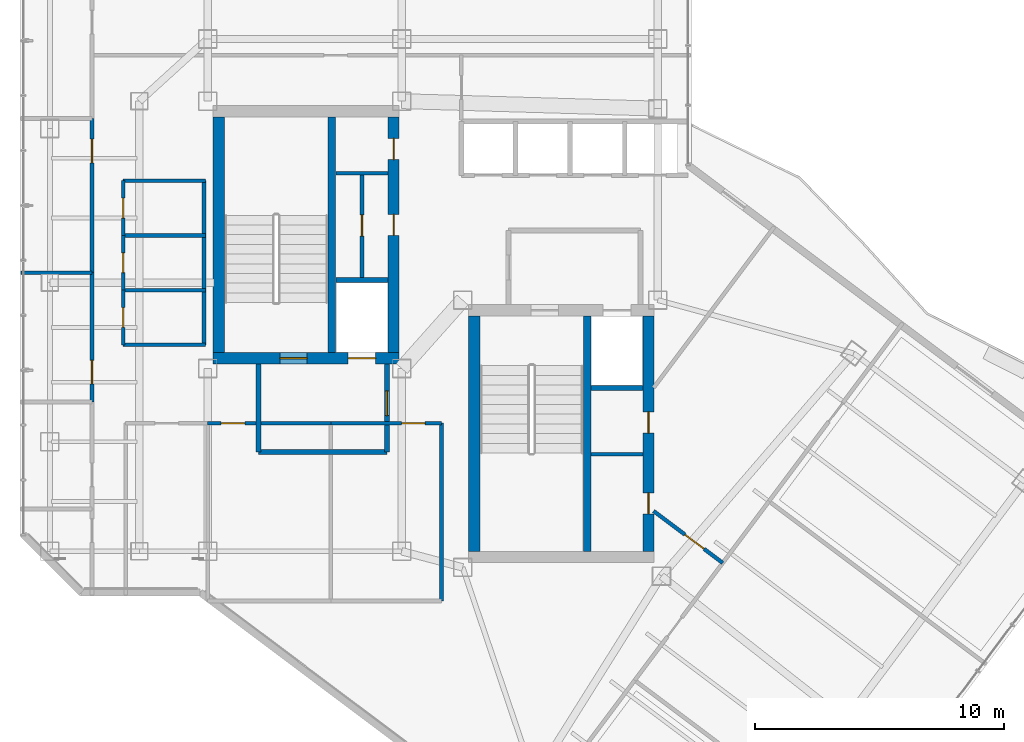
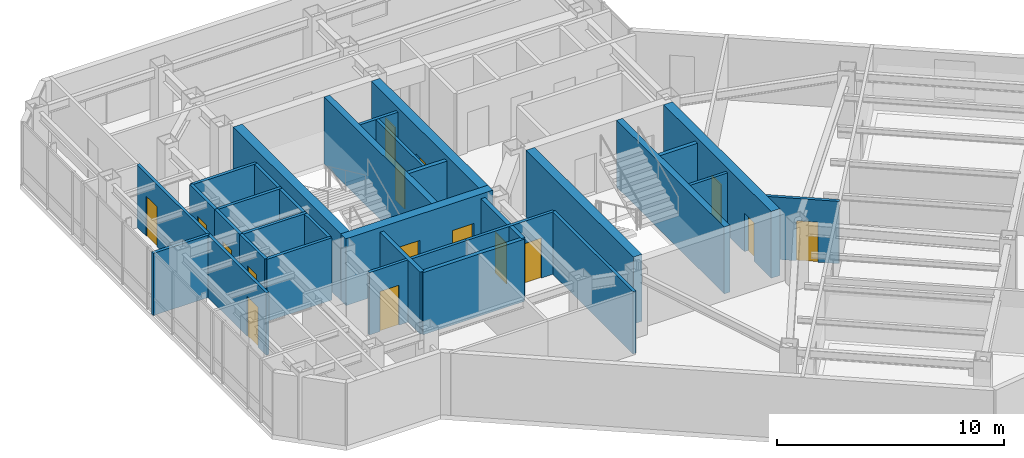
# One storey, part 20 of 26: 30 walls, 16 doors, 16 openings.
"""IFC4 building model written with IfcOpenShell, lengths in metres."""

from ifc_helpers import new_model, si_unit, direction, frame, frame_2d, origin, place, context, subcontext, project, spatial, rectangle, extrude, material, layer, layer_set, type_object, element, fill, save


model = new_model("IFC4")

# Units and contexts
model_context = context("Model", 3, precision=1e-05, world=origin(), true_north=direction((0.0, 1.0)))
body_context = subcontext(model_context, "Body", "Model", "MODEL_VIEW")
ifc_project = project(units=[si_unit("LENGTHUNIT", "METRE"), si_unit("AREAUNIT", "SQUARE_METRE"), si_unit("VOLUMEUNIT", "CUBIC_METRE"), si_unit("PLANEANGLEUNIT", "RADIAN"), si_unit("MASSUNIT", "GRAM", prefix="KILO")], contexts=[model_context])

# Site, building, storey
site_placement = place(None, origin())
site = spatial("IfcSite", under=ifc_project, at=site_placement, CompositionType="ELEMENT")
building_placement = place(site_placement, origin())
building = spatial("IfcBuilding", under=site, at=building_placement, Name="Hatsunagi Terrace Concourse", CompositionType="ELEMENT")
storey_placement = place(building_placement, frame((0.0, 0.0, 198.75)))
storey = spatial("IfcBuildingStorey", under=building, at=storey_placement, Name="L52", CompositionType="ELEMENT", Elevation=198.75)

# Wall, openings, doors
ifc_material_1 = material(Name="Concrete Fc42", Category="concrete")
ifc_layer_1 = layer(ifc_material_1, 0.449951171875)
ifc_layer_set_1 = layer_set([ifc_layer_1], Name="CoreShearWall_Fc42_450")
wall_type_1 = type_object("IfcWallType", Name="CoreShearWall_Fc42_450", PredefinedType="SHEAR", material=ifc_layer_set_1)
wall_1_placement = place(storey_placement, frame((25.77001953125, 32.965087890625, 0.0), z_axis=(0.0, 0.0, 1.0), x_axis=(1.0, 0.0, 0.0)))
wall_1 = element("IfcWall", 1, at=wall_1_placement, inside=storey, type_object=wall_type_1, Name="Core A Shear Wall S L52", PredefinedType="SHEAR", context=body_context, shape_type="SweptSolid", body=[
    extrude(rectangle(XDim=7.47998046875, YDim=0.449951171875, at=frame_2d((3.739990234375, 0.0))), origin(), (0.0, 0.0, 1.0), 3.60009765625),
])
opening_1_placement = place(wall_1_placement, frame((2.679931640625, 0.0, 0.0)))
opening_1 = element("IfcOpeningElement", 2, at=opening_1_placement, cuts=wall_1, Name="Opening DR-110S", PredefinedType="OPENING", context=body_context, shape_type="SweptSolid", body=[
    extrude(rectangle(XDim=1.10009765625, YDim=2.199951171875, at=frame_2d((0.550048828125, 1.10009765625))), frame((0.0, 0.23486328125, 0.0), z_axis=(0.0, -1.0, 0.0), x_axis=(1.0, 0.0, 0.0)), (0.0, 0.0, 1.0), 0.469970703125),
])
opening_2_placement = place(wall_1_placement, frame((5.429931640625, 0.0, 0.0)))
opening_2 = element("IfcOpeningElement", 3, at=opening_2_placement, cuts=wall_1, Name="Opening LD-01", PredefinedType="OPENING", context=body_context, shape_type="SweptSolid", body=[
    extrude(rectangle(XDim=1.10009765625, YDim=2.14990234375, at=frame_2d((0.550048828125, 1.074951171875))), frame((0.0, 0.23486328125, 0.0), z_axis=(0.0, -1.0, 0.0), x_axis=(1.0, 0.0, 0.0)), (0.0, 0.0, 1.0), 0.469970703125),
])
ifc_material_2 = material(Name="Stainless steel", Category="steel")
door_type_1 = type_object("IfcDoorType", Name="LiftLandingDoor_LD01", OperationType="SLIDING_TO_LEFT", PredefinedType="USERDEFINED", material=ifc_material_2)
door_1_placement = place(opening_2_placement, origin())
door_1 = element("IfcDoor", 4, at=door_1_placement, inside=storey, type_object=door_type_1, Name="Lift landing door FF-01 L52", ObjectType="SLIDING_LANDING_DOOR", OperationType="SLIDING_TO_LEFT", OverallHeight=2.14990234375, OverallWidth=1.10009765625, PredefinedType="USERDEFINED", context=body_context, shape_type="SweptSolid", body=[
    extrude(rectangle(XDim=1.10009765625, YDim=2.14990234375, at=frame_2d((0.550048828125, 1.074951171875))), frame((0.0, 0.02490234375, 0.0), z_axis=(0.0, -1.0, 0.0), x_axis=(1.0, 0.0, 0.0)), (0.0, 0.0, 1.0), 0.050048828125),
])
fill(opening_2, door_1)
ifc_material_3 = material(Name="Painted steel", Category="steel")
door_type_2 = type_object("IfcDoorType", Name="StairFireDoor_EI60_1100", OperationType="NOTDEFINED", PredefinedType="DOOR", material=ifc_material_3)
door_2_placement = place(opening_1_placement, origin())
door_2 = element("IfcDoor", 5, at=door_2_placement, inside=storey, type_object=door_type_2, Name="Stair ST-A Exit Door L52", OperationType="SINGLE_SWING_LEFT", OverallHeight=2.199951171875, OverallWidth=1.10009765625, PredefinedType="DOOR", context=body_context, shape_type="SweptSolid", body=[
    extrude(rectangle(XDim=1.10009765625, YDim=2.199951171875, at=frame_2d((0.550048828125, 1.10009765625))), frame((0.0, 0.02490234375, 0.0), z_axis=(0.0, -1.0, 0.0), x_axis=(1.0, 0.0, 0.0)), (0.0, 0.0, 1.0), 0.050048828125),
])
fill(opening_1, door_2)

# Wall
wall_2_placement = place(storey_placement, frame((25.9951171875, 33.18994140625, 0.0), z_axis=(0.0, 0.0, 1.0), x_axis=(0.0, 1.0, 0.0)))
element("IfcWall", 6, at=wall_2_placement, inside=storey, type_object=wall_type_1, Name="Core A Shear Wall W L52", PredefinedType="SHEAR", context=body_context, shape_type="SweptSolid", body=[
    extrude(rectangle(XDim=9.47998046875, YDim=0.449951171875, at=frame_2d((4.739990234375, 0.0))), origin(), (0.0, 0.0, 1.0), 3.60009765625),
])

# Wall, openings, doors
wall_3_placement = place(storey_placement, frame((33.02490234375, 33.18994140625, 0.0), z_axis=(0.0, 0.0, 1.0), x_axis=(0.0, 1.0, 0.0)))
wall_3 = element("IfcWall", 7, at=wall_3_placement, inside=storey, type_object=wall_type_1, Name="Core A Shear Wall E L52", PredefinedType="SHEAR", context=body_context, shape_type="SweptSolid", body=[
    extrude(rectangle(XDim=9.47998046875, YDim=0.449951171875, at=frame_2d((4.739990234375, 0.0))), origin(), (0.0, 0.0, 1.0), 3.60009765625),
])
opening_3_placement = place(wall_3_placement, frame((4.7099609375, 0.0, 0.0)))
opening_3 = element("IfcOpeningElement", 8, at=opening_3_placement, cuts=wall_3, Name="Opening DR-085", PredefinedType="OPENING", context=body_context, shape_type="SweptSolid", body=[
    extrude(rectangle(XDim=0.85009765625, YDim=2.080078125, at=frame_2d((0.425048828125, 1.0400390625))), frame((0.0, 0.23486328125, 0.0), z_axis=(0.0, -1.0, 0.0), x_axis=(1.0, 0.0, 0.0)), (0.0, 0.0, 1.0), 0.469970703125),
])
opening_4_placement = place(wall_3_placement, frame((7.760009765625, 0.0, 0.0)))
opening_4 = element("IfcOpeningElement", 9, at=opening_4_placement, cuts=wall_3, Name="Opening DR-085", PredefinedType="OPENING", context=body_context, shape_type="SweptSolid", body=[
    extrude(rectangle(XDim=0.85009765625, YDim=2.080078125, at=frame_2d((0.425048828125, 1.0400390625))), frame((0.0, 0.23486328125, 0.0), z_axis=(0.0, -1.0, 0.0), x_axis=(1.0, 0.0, 0.0)), (0.0, 0.0, 1.0), 0.469970703125),
])
ifc_material_4 = material(Name="Painted steel", Category="steel")
door_type_3 = type_object("IfcDoorType", Name="RiserAccessDoor_EI60_850", OperationType="NOTDEFINED", PredefinedType="DOOR", material=ifc_material_4)
door_3_placement = place(opening_3_placement, origin())
door_3 = element("IfcDoor", 10, at=door_3_placement, inside=storey, type_object=door_type_3, Name="Core A Riser Door L52-1", OperationType="SINGLE_SWING_LEFT", OverallHeight=2.080078125, OverallWidth=0.85009765625, PredefinedType="DOOR", context=body_context, shape_type="SweptSolid", body=[
    extrude(rectangle(XDim=0.85009765625, YDim=2.080078125, at=frame_2d((0.425048828125, 1.0400390625))), frame((0.0, 0.02490234375, 0.0), z_axis=(0.0, -1.0, 0.0), x_axis=(1.0, 0.0, 0.0)), (0.0, 0.0, 1.0), 0.050048828125),
])
fill(opening_3, door_3)
door_4_placement = place(opening_4_placement, origin())
door_4 = element("IfcDoor", 11, at=door_4_placement, inside=storey, type_object=door_type_3, Name="Core A Riser Door L52-2", OperationType="SINGLE_SWING_LEFT", OverallHeight=2.080078125, OverallWidth=0.85009765625, PredefinedType="DOOR", context=body_context, shape_type="SweptSolid", body=[
    extrude(rectangle(XDim=0.85009765625, YDim=2.080078125, at=frame_2d((0.425048828125, 1.0400390625))), frame((0.0, 0.02490234375, 0.0), z_axis=(0.0, -1.0, 0.0), x_axis=(1.0, 0.0, 0.0)), (0.0, 0.0, 1.0), 0.050048828125),
])
fill(opening_4, door_4)

# Wall
wall_4_placement = place(storey_placement, frame((36.264892578125, 25.18994140625, 0.0), z_axis=(0.0, 0.0, 1.0), x_axis=(0.0, 1.0, 0.0)))
element("IfcWall", 12, at=wall_4_placement, inside=storey, type_object=wall_type_1, Name="Core B Shear Wall W L52", PredefinedType="SHEAR", context=body_context, shape_type="SweptSolid", body=[
    extrude(rectangle(XDim=9.47998046875, YDim=0.449951171875, at=frame_2d((4.739990234375, 0.0))), origin(), (0.0, 0.0, 1.0), 3.60009765625),
])

# Wall, openings, doors
wall_5_placement = place(storey_placement, frame((43.27490234375, 25.18994140625, 0.0), z_axis=(0.0, 0.0, 1.0), x_axis=(0.0, 1.0, 0.0)))
wall_5 = element("IfcWall", 13, at=wall_5_placement, inside=storey, type_object=wall_type_1, Name="Core B Shear Wall E L52", PredefinedType="SHEAR", context=body_context, shape_type="SweptSolid", body=[
    extrude(rectangle(XDim=9.47998046875, YDim=0.449951171875, at=frame_2d((4.739990234375, 0.0))), origin(), (0.0, 0.0, 1.0), 3.60009765625),
])
opening_5_placement = place(wall_5_placement, frame((1.510009765625, 0.0, 0.0)))
opening_5 = element("IfcOpeningElement", 14, at=opening_5_placement, cuts=wall_5, Name="Opening DR-085", PredefinedType="OPENING", context=body_context, shape_type="SweptSolid", body=[
    extrude(rectangle(XDim=0.85009765625, YDim=2.080078125, at=frame_2d((0.425048828125, 1.0400390625))), frame((0.0, 0.23486328125, 0.0), z_axis=(0.0, -1.0, 0.0), x_axis=(1.0, 0.0, 0.0)), (0.0, 0.0, 1.0), 0.469970703125),
])
opening_6_placement = place(wall_5_placement, frame((4.760009765625, 0.0, 0.0)))
opening_6 = element("IfcOpeningElement", 15, at=opening_6_placement, cuts=wall_5, Name="Opening DR-085", PredefinedType="OPENING", context=body_context, shape_type="SweptSolid", body=[
    extrude(rectangle(XDim=0.85009765625, YDim=2.080078125, at=frame_2d((0.425048828125, 1.0400390625))), frame((0.0, 0.23486328125, 0.0), z_axis=(0.0, -1.0, 0.0), x_axis=(1.0, 0.0, 0.0)), (0.0, 0.0, 1.0), 0.469970703125),
])
door_5_placement = place(opening_5_placement, origin())
door_5 = element("IfcDoor", 16, at=door_5_placement, inside=storey, type_object=door_type_3, Name="Core B Riser Door L52-1", OperationType="SINGLE_SWING_RIGHT", OverallHeight=2.080078125, OverallWidth=0.85009765625, PredefinedType="DOOR", context=body_context, shape_type="SweptSolid", body=[
    extrude(rectangle(XDim=0.85009765625, YDim=2.080078125, at=frame_2d((0.425048828125, 1.0400390625))), frame((0.0, 0.02490234375, 0.0), z_axis=(0.0, -1.0, 0.0), x_axis=(1.0, 0.0, 0.0)), (0.0, 0.0, 1.0), 0.050048828125),
])
fill(opening_5, door_5)
door_6_placement = place(opening_6_placement, origin())
door_6 = element("IfcDoor", 17, at=door_6_placement, inside=storey, type_object=door_type_3, Name="Core B Riser Door L52-2", OperationType="SINGLE_SWING_RIGHT", OverallHeight=2.080078125, OverallWidth=0.85009765625, PredefinedType="DOOR", context=body_context, shape_type="SweptSolid", body=[
    extrude(rectangle(XDim=0.85009765625, YDim=2.080078125, at=frame_2d((0.425048828125, 1.0400390625))), frame((0.0, 0.02490234375, 0.0), z_axis=(0.0, -1.0, 0.0), x_axis=(1.0, 0.0, 0.0)), (0.0, 0.0, 1.0), 0.050048828125),
])
fill(opening_6, door_6)

# Walls
ifc_material_5 = material(Name="Concrete Fc48", Category="concrete")
ifc_layer_2 = layer(ifc_material_5, 0.300048828125)
ifc_layer_set_2 = layer_set([ifc_layer_2], Name="CoreStairDivider_Fc48_300")
wall_type_2 = type_object("IfcWallType", Name="CoreStairDivider_Fc48_300", PredefinedType="SHEAR", material=ifc_layer_set_2)
for number, where, z_axis, x_axis, name in (
    (18, (30.5400390625, 33.18994140625, 0.0), (0.0, 0.0, 1.0), (0.0, 1.0, 0.0), "Core A Shear Wall D L52"),
    (19, (40.81005859375, 25.18994140625, 0.0), (0.0, 0.0, 1.0), (0.0, 1.0, 0.0), "Core B Shear Wall D L52"),
):
    element("IfcWall", number, at=place(storey_placement, frame(where, z_axis=z_axis, x_axis=x_axis)), inside=storey, type_object=wall_type_2, Name=name, PredefinedType="SHEAR", context=body_context, shape_type="SweptSolid", body=[
        extrude(rectangle(XDim=9.47998046875, YDim=0.300048828125, at=frame_2d((4.739990234375, 0.0))), origin(), (0.0, 0.0, 1.0), 3.60009765625),
    ])

# Wall, opening, door
ifc_material_6 = material(Name="Acoustic mineral board", Category="gypsum")
ifc_layer_3 = layer(ifc_material_6, 0.14990234375)
ifc_layer_set_3 = layer_set([ifc_layer_3], Name="PartitionWall_EI60_150")
wall_type_3 = type_object("IfcWallType", Name="PartitionWall_EI60_150", PredefinedType="PARTITIONING", material=ifc_layer_set_3)
wall_6_placement = place(storey_placement, frame((31.75, 36.179931640625, 0.0), z_axis=(0.0, 0.0, 1.0), x_axis=(0.0, 1.0, 0.0)))
wall_6 = element("IfcWall", 20, at=wall_6_placement, inside=storey, type_object=wall_type_3, Name="Interior Partition IW-L52-002", PredefinedType="PARTITIONING", context=body_context, shape_type="SweptSolid", body=[
    extrude(rectangle(XDim=4.239990234375, YDim=0.14990234375, at=frame_2d((2.1201171875, 0.0))), origin(), (0.0, 0.0, 1.0), 3.35009765625),
])
opening_7_placement = place(wall_6_placement, frame((1.695068359375, 0.0, 0.0)))
opening_7 = element("IfcOpeningElement", 21, at=opening_7_placement, cuts=wall_6, Name="Opening DR-085", PredefinedType="OPENING", context=body_context, shape_type="SweptSolid", body=[
    extrude(rectangle(XDim=0.85009765625, YDim=2.080078125, at=frame_2d((0.425048828125, 1.0400390625))), frame((0.0, 0.0849609375, 0.0), z_axis=(0.0, -1.0, 0.0), x_axis=(1.0, 0.0, 0.0)), (0.0, 0.0, 1.0), 0.169921875),
])
door_7_placement = place(opening_7_placement, origin())
door_7 = element("IfcDoor", 22, at=door_7_placement, inside=storey, type_object=door_type_3, Name="Core A Sub-Riser Door L52", OperationType="SINGLE_SWING_LEFT", OverallHeight=2.080078125, OverallWidth=0.85009765625, PredefinedType="DOOR", context=body_context, shape_type="SweptSolid", body=[
    extrude(rectangle(XDim=0.85009765625, YDim=2.080078125, at=frame_2d((0.425048828125, 1.0400390625))), frame((0.0, 0.02490234375, 0.0), z_axis=(0.0, -1.0, 0.0), x_axis=(1.0, 0.0, 0.0)), (0.0, 0.0, 1.0), 0.050048828125),
])
fill(opening_7, door_7)

# Walls
wall_7_placement = place(storey_placement, frame((30.699951171875, 40.39990234375, 0.0), z_axis=(0.0, 0.0, 1.0), x_axis=(1.0, 0.0, 0.0)))
element("IfcWall", 23, at=wall_7_placement, inside=storey, type_object=wall_type_3, Name="Interior Partition IW-L52-003", PredefinedType="PARTITIONING", context=body_context, shape_type="SweptSolid", body=[
    extrude(rectangle(XDim=2.10009765625, YDim=0.14990234375, at=frame_2d((1.050048828125, 0.0))), origin(), (0.0, 0.0, 1.0), 3.35009765625),
])
wall_8_placement = place(storey_placement, frame((40.969970703125, 29.10009765625, 0.0), z_axis=(0.0, 0.0, 1.0), x_axis=(1.0, 0.0, 0.0)))
element("IfcWall", 24, at=wall_8_placement, inside=storey, type_object=wall_type_3, Name="Interior Partition IW-L52-005", PredefinedType="PARTITIONING", context=body_context, shape_type="SweptSolid", body=[
    extrude(rectangle(XDim=2.080078125, YDim=0.14990234375, at=frame_2d((1.0400390625, 0.0))), origin(), (0.0, 0.0, 1.0), 3.35009765625),
])
for number, where, z_axis, x_axis, name in (
    (25, (22.14990234375, 33.5, 0.0), (0.0, 0.0, 1.0), (1.0, 0.0, 0.0), "Interior Partition IW-L52-018"),
    (26, (22.14990234375, 40.10009765625, 0.0), (0.0, 0.0, 1.0), (1.0, 0.0, 0.0), "Interior Partition IW-L52-019"),
):
    element("IfcWall", number, at=place(storey_placement, frame(where, z_axis=z_axis, x_axis=x_axis)), inside=storey, type_object=wall_type_3, Name=name, PredefinedType="PARTITIONING", context=body_context, shape_type="SweptSolid", body=[
        extrude(rectangle(XDim=3.300048828125, YDim=0.14990234375, at=frame_2d((1.64990234375, 0.0))), origin(), (0.0, 0.0, 1.0), 3.35009765625),
    ])
wall_9_placement = place(storey_placement, frame((25.39990234375, 33.5, 0.0), z_axis=(0.0, 0.0, 1.0), x_axis=(0.0, 1.0, 0.0)))
element("IfcWall", 27, at=wall_9_placement, inside=storey, type_object=wall_type_3, Name="Interior Partition IW-L52-020", PredefinedType="PARTITIONING", context=body_context, shape_type="SweptSolid", body=[
    extrude(rectangle(XDim=6.60009765625, YDim=0.14990234375, at=frame_2d((3.300048828125, 0.0))), origin(), (0.0, 0.0, 1.0), 3.35009765625),
])
for number, where, z_axis, x_axis, name in (
    (28, (22.14990234375, 35.699951171875, 0.0), (0.0, 0.0, 1.0), (1.0, 0.0, 0.0), "Interior Partition IW-L52-021"),
    (29, (22.14990234375, 37.89990234375, 0.0), (0.0, 0.0, 1.0), (1.0, 0.0, 0.0), "Interior Partition IW-L52-022"),
):
    element("IfcWall", number, at=place(storey_placement, frame(where, z_axis=z_axis, x_axis=x_axis)), inside=storey, type_object=wall_type_3, Name=name, PredefinedType="PARTITIONING", context=body_context, shape_type="SweptSolid", body=[
        extrude(rectangle(XDim=3.300048828125, YDim=0.14990234375, at=frame_2d((1.64990234375, 0.0))), origin(), (0.0, 0.0, 1.0), 3.35009765625),
    ])

# Wall, opening, door
wall_10_placement = place(storey_placement, frame((22.14990234375, 33.5, 0.0), z_axis=(0.0, 0.0, 1.0), x_axis=(0.0, 1.0, 0.0)))
wall_10 = element("IfcWall", 30, at=wall_10_placement, inside=storey, type_object=wall_type_3, Name="Interior Partition IW-L52-023", PredefinedType="PARTITIONING", context=body_context, shape_type="SweptSolid", body=[
    extrude(rectangle(XDim=2.199951171875, YDim=0.14990234375, at=frame_2d((1.10009765625, 0.0))), origin(), (0.0, 0.0, 1.0), 3.35009765625),
])
opening_8_placement = place(wall_10_placement, frame((0.699951171875, 0.0, 0.0)))
opening_8 = element("IfcOpeningElement", 31, at=opening_8_placement, cuts=wall_10, Name="Opening DR-080", PredefinedType="OPENING", context=body_context, shape_type="SweptSolid", body=[
    extrude(rectangle(XDim=0.800048828125, YDim=2.06005859375, at=frame_2d((0.39990234375, 1.030029296875))), frame((0.0, 0.0849609375, 0.0), z_axis=(0.0, -1.0, 0.0), x_axis=(1.0, 0.0, 0.0)), (0.0, 0.0, 1.0), 0.169921875),
])
ifc_material_7 = material(Name="Hardwood timber", Category="wood")
door_type_4 = type_object("IfcDoorType", Name="BathroomDoor_800", OperationType="NOTDEFINED", PredefinedType="DOOR", material=ifc_material_7)
door_8_placement = place(opening_8_placement, origin())
door_8 = element("IfcDoor", 32, at=door_8_placement, inside=storey, type_object=door_type_4, Name="Accessible WC Door L52", OperationType="SINGLE_SWING_RIGHT", OverallHeight=2.06005859375, OverallWidth=0.800048828125, PredefinedType="DOOR", context=body_context, shape_type="SweptSolid", body=[
    extrude(rectangle(XDim=0.800048828125, YDim=2.06005859375, at=frame_2d((0.39990234375, 1.030029296875))), frame((0.0, 0.02490234375, 0.0), z_axis=(0.0, -1.0, 0.0), x_axis=(1.0, 0.0, 0.0)), (0.0, 0.0, 1.0), 0.050048828125),
])
fill(opening_8, door_8)

wall_11_placement = place(storey_placement, frame((22.14990234375, 35.699951171875, 0.0), z_axis=(0.0, 0.0, 1.0), x_axis=(0.0, 1.0, 0.0)))
wall_11 = element("IfcWall", 33, at=wall_11_placement, inside=storey, type_object=wall_type_3, Name="Interior Partition IW-L52-024", PredefinedType="PARTITIONING", context=body_context, shape_type="SweptSolid", body=[
    extrude(rectangle(XDim=2.199951171875, YDim=0.14990234375, at=frame_2d((1.10009765625, 0.0))), origin(), (0.0, 0.0, 1.0), 3.35009765625),
])
opening_9_placement = place(wall_11_placement, frame((0.699951171875, 0.0, 0.0)))
opening_9 = element("IfcOpeningElement", 34, at=opening_9_placement, cuts=wall_11, Name="Opening DR-080", PredefinedType="OPENING", context=body_context, shape_type="SweptSolid", body=[
    extrude(rectangle(XDim=0.800048828125, YDim=2.06005859375, at=frame_2d((0.39990234375, 1.030029296875))), frame((0.0, 0.0849609375, 0.0), z_axis=(0.0, -1.0, 0.0), x_axis=(1.0, 0.0, 0.0)), (0.0, 0.0, 1.0), 0.169921875),
])
door_9_placement = place(opening_9_placement, origin())
door_9 = element("IfcDoor", 35, at=door_9_placement, inside=storey, type_object=door_type_4, Name="Female Restroom Door L52", OperationType="SINGLE_SWING_RIGHT", OverallHeight=2.06005859375, OverallWidth=0.800048828125, PredefinedType="DOOR", context=body_context, shape_type="SweptSolid", body=[
    extrude(rectangle(XDim=0.800048828125, YDim=2.06005859375, at=frame_2d((0.39990234375, 1.030029296875))), frame((0.0, 0.02490234375, 0.0), z_axis=(0.0, -1.0, 0.0), x_axis=(1.0, 0.0, 0.0)), (0.0, 0.0, 1.0), 0.050048828125),
])
fill(opening_9, door_9)

wall_12_placement = place(storey_placement, frame((22.14990234375, 37.89990234375, 0.0), z_axis=(0.0, 0.0, 1.0), x_axis=(0.0, 1.0, 0.0)))
wall_12 = element("IfcWall", 36, at=wall_12_placement, inside=storey, type_object=wall_type_3, Name="Interior Partition IW-L52-025", PredefinedType="PARTITIONING", context=body_context, shape_type="SweptSolid", body=[
    extrude(rectangle(XDim=2.2001953125, YDim=0.14990234375, at=frame_2d((1.10009765625, 0.0))), origin(), (0.0, 0.0, 1.0), 3.35009765625),
])
opening_10_placement = place(wall_12_placement, frame((0.699951171875, 0.0, 0.0)))
opening_10 = element("IfcOpeningElement", 37, at=opening_10_placement, cuts=wall_12, Name="Opening DR-080", PredefinedType="OPENING", context=body_context, shape_type="SweptSolid", body=[
    extrude(rectangle(XDim=0.800048828125, YDim=2.06005859375, at=frame_2d((0.39990234375, 1.030029296875))), frame((0.0, 0.0849609375, 0.0), z_axis=(0.0, -1.0, 0.0), x_axis=(1.0, 0.0, 0.0)), (0.0, 0.0, 1.0), 0.169921875),
])
door_10_placement = place(opening_10_placement, origin())
door_10 = element("IfcDoor", 38, at=door_10_placement, inside=storey, type_object=door_type_4, Name="Male Restroom Door L52", OperationType="SINGLE_SWING_RIGHT", OverallHeight=2.06005859375, OverallWidth=0.800048828125, PredefinedType="DOOR", context=body_context, shape_type="SweptSolid", body=[
    extrude(rectangle(XDim=0.800048828125, YDim=2.06005859375, at=frame_2d((0.39990234375, 1.030029296875))), frame((0.0, 0.02490234375, 0.0), z_axis=(0.0, -1.0, 0.0), x_axis=(1.0, 0.0, 0.0)), (0.0, 0.0, 1.0), 0.050048828125),
])
fill(opening_10, door_10)

wall_13_placement = place(storey_placement, frame((25.550048828125, 30.35009765625, 0.0), z_axis=(0.0, 0.0, 1.0), x_axis=(1.0, 0.0, 0.0)))
wall_13 = element("IfcWall", 39, at=wall_13_placement, inside=storey, type_object=wall_type_3, Name="Interior Partition IW-L52-027", PredefinedType="PARTITIONING", context=body_context, shape_type="SweptSolid", body=[
    extrude(rectangle(XDim=4.949951171875, YDim=0.14990234375, at=frame_2d((2.47509765625, 0.0))), origin(), (0.0, 0.0, 1.0), 3.35009765625),
])
opening_11_placement = place(wall_13_placement, frame((0.5419921875, 0.0, 0.0)))
opening_11 = element("IfcOpeningElement", 40, at=opening_11_placement, cuts=wall_13, Name="Opening DR-095", PredefinedType="OPENING", context=body_context, shape_type="SweptSolid", body=[
    extrude(rectangle(XDim=0.949951171875, YDim=2.14990234375, at=frame_2d((0.47509765625, 1.074951171875))), frame((0.0, 0.0849609375, 0.0), z_axis=(0.0, -1.0, 0.0), x_axis=(1.0, 0.0, 0.0)), (0.0, 0.0, 1.0), 0.169921875),
])
ifc_material_8 = material(Name="Hardwood timber", Category="wood")
door_type_5 = type_object("IfcDoorType", Name="InteriorSuiteDoor_EI30_950", OperationType="NOTDEFINED", PredefinedType="DOOR", material=ifc_material_8)
door_11_placement = place(opening_11_placement, origin())
door_11 = element("IfcDoor", 41, at=door_11_placement, inside=storey, type_object=door_type_5, Name="Executive Office L52-RECL1 Door", OperationType="SINGLE_SWING_RIGHT", OverallHeight=2.14990234375, OverallWidth=0.949951171875, PredefinedType="DOOR", context=body_context, shape_type="SweptSolid", body=[
    extrude(rectangle(XDim=0.949951171875, YDim=2.14990234375, at=frame_2d((0.47509765625, 1.074951171875))), frame((0.0, 0.02490234375, 0.0), z_axis=(0.0, -1.0, 0.0), x_axis=(1.0, 0.0, 0.0)), (0.0, 0.0, 1.0), 0.050048828125),
])
fill(opening_11, door_11)

wall_14_placement = place(storey_placement, frame((30.5, 30.35009765625, 0.0), z_axis=(0.0, 0.0, 1.0), x_axis=(1.0, 0.0, 0.0)))
wall_14 = element("IfcWall", 42, at=wall_14_placement, inside=storey, type_object=wall_type_3, Name="Interior Partition IW-L52-031", PredefinedType="PARTITIONING", context=body_context, shape_type="SweptSolid", body=[
    extrude(rectangle(XDim=4.449951171875, YDim=0.14990234375, at=frame_2d((2.22509765625, 0.0))), origin(), (0.0, 0.0, 1.0), 3.35009765625),
])
opening_12_placement = place(wall_14_placement, frame((2.845947265625, 0.0, 0.0)))
opening_12 = element("IfcOpeningElement", 43, at=opening_12_placement, cuts=wall_14, Name="Opening DR-095", PredefinedType="OPENING", context=body_context, shape_type="SweptSolid", body=[
    extrude(rectangle(XDim=0.949951171875, YDim=2.14990234375, at=frame_2d((0.47509765625, 1.074951171875))), frame((0.0, 0.0849609375, 0.0), z_axis=(0.0, -1.0, 0.0), x_axis=(1.0, 0.0, 0.0)), (0.0, 0.0, 1.0), 0.169921875),
])
door_12_placement = place(opening_12_placement, origin())
door_12 = element("IfcDoor", 44, at=door_12_placement, inside=storey, type_object=door_type_5, Name="Client Consultation Room L52-RECL2 Door", OperationType="SINGLE_SWING_RIGHT", OverallHeight=2.14990234375, OverallWidth=0.949951171875, PredefinedType="DOOR", context=body_context, shape_type="SweptSolid", body=[
    extrude(rectangle(XDim=0.949951171875, YDim=2.14990234375, at=frame_2d((0.47509765625, 1.074951171875))), frame((0.0, 0.02490234375, 0.0), z_axis=(0.0, -1.0, 0.0), x_axis=(1.0, 0.0, 0.0)), (0.0, 0.0, 1.0), 0.050048828125),
])
fill(opening_12, door_12)

# Walls
wall_15_placement = place(storey_placement, frame((34.949951171875, 23.199951171875, 0.0), z_axis=(0.0, 0.0, 1.0), x_axis=(0.0, 1.0, 0.0)))
element("IfcWall", 45, at=wall_15_placement, inside=storey, type_object=wall_type_3, Name="Interior Partition IW-L52-032", PredefinedType="PARTITIONING", context=body_context, shape_type="SweptSolid", body=[
    extrude(rectangle(XDim=7.150146484375, YDim=0.14990234375, at=frame_2d((3.5751953125, 0.0))), origin(), (0.0, 0.0, 1.0), 3.35009765625),
])
wall_16_placement = place(storey_placement, frame((18.0400390625, 36.39990234375, 0.0), z_axis=(0.0, 0.0, 1.0), x_axis=(1.0, 0.0, 0.0)))
element("IfcWall", 46, at=wall_16_placement, inside=storey, type_object=wall_type_3, Name="Interior Partition IW-L52-037", PredefinedType="PARTITIONING", context=body_context, shape_type="SweptSolid", body=[
    extrude(rectangle(XDim=2.85986328125, YDim=0.14990234375, at=frame_2d((1.429931640625, 0.0))), origin(), (0.0, 0.0, 1.0), 3.35009765625),
])

# Wall, opening, door
wall_17_placement = place(storey_placement, frame((20.89990234375, 31.199951171875, 0.0), z_axis=(0.0, 0.0, 1.0), x_axis=(0.0, 1.0, 0.0)))
wall_17 = element("IfcWall", 47, at=wall_17_placement, inside=storey, type_object=wall_type_3, Name="Interior Partition IW-L52-038", PredefinedType="PARTITIONING", context=body_context, shape_type="SweptSolid", body=[
    extrude(rectangle(XDim=5.199951171875, YDim=0.14990234375, at=frame_2d((2.60009765625, 0.0))), origin(), (0.0, 0.0, 1.0), 3.35009765625),
])
opening_13_placement = place(wall_17_placement, frame((0.72900390625, 0.0, 0.0)))
opening_13 = element("IfcOpeningElement", 48, at=opening_13_placement, cuts=wall_17, Name="Opening DR-095", PredefinedType="OPENING", context=body_context, shape_type="SweptSolid", body=[
    extrude(rectangle(XDim=0.949951171875, YDim=2.14990234375, at=frame_2d((0.47509765625, 1.074951171875))), frame((0.0, 0.0849609375, 0.0), z_axis=(0.0, -1.0, 0.0), x_axis=(1.0, 0.0, 0.0)), (0.0, 0.0, 1.0), 0.169921875),
])
door_13_placement = place(opening_13_placement, origin())
door_13 = element("IfcDoor", 49, at=door_13_placement, inside=storey, type_object=door_type_5, Name="Executive Office L52-OW3 Door", OperationType="SINGLE_SWING_RIGHT", OverallHeight=2.14990234375, OverallWidth=0.949951171875, PredefinedType="DOOR", context=body_context, shape_type="SweptSolid", body=[
    extrude(rectangle(XDim=0.949951171875, YDim=2.14990234375, at=frame_2d((0.47509765625, 1.074951171875))), frame((0.0, 0.02490234375, 0.0), z_axis=(0.0, -1.0, 0.0), x_axis=(1.0, 0.0, 0.0)), (0.0, 0.0, 1.0), 0.050048828125),
])
fill(opening_13, door_13)

wall_18_placement = place(storey_placement, frame((20.89990234375, 36.39990234375, 0.0), z_axis=(0.0, 0.0, 1.0), x_axis=(0.0, 1.0, 0.0)))
wall_18 = element("IfcWall", 50, at=wall_18_placement, inside=storey, type_object=wall_type_3, Name="Interior Partition IW-L52-040", PredefinedType="PARTITIONING", context=body_context, shape_type="SweptSolid", body=[
    extrude(rectangle(XDim=6.2001953125, YDim=0.14990234375, at=frame_2d((3.10009765625, 0.0))), origin(), (0.0, 0.0, 1.0), 3.35009765625),
])
opening_14_placement = place(wall_18_placement, frame((4.4208984375, 0.0, 0.0)))
opening_14 = element("IfcOpeningElement", 51, at=opening_14_placement, cuts=wall_18, Name="Opening DR-095", PredefinedType="OPENING", context=body_context, shape_type="SweptSolid", body=[
    extrude(rectangle(XDim=0.949951171875, YDim=2.14990234375, at=frame_2d((0.47509765625, 1.074951171875))), frame((0.0, 0.0849609375, 0.0), z_axis=(0.0, -1.0, 0.0), x_axis=(1.0, 0.0, 0.0)), (0.0, 0.0, 1.0), 0.169921875),
])
door_14_placement = place(opening_14_placement, origin())
door_14 = element("IfcDoor", 52, at=door_14_placement, inside=storey, type_object=door_type_5, Name="Meeting Room L52-OW4 Door", OperationType="SINGLE_SWING_RIGHT", OverallHeight=2.14990234375, OverallWidth=0.949951171875, PredefinedType="DOOR", context=body_context, shape_type="SweptSolid", body=[
    extrude(rectangle(XDim=0.949951171875, YDim=2.14990234375, at=frame_2d((0.47509765625, 1.074951171875))), frame((0.0, 0.02490234375, 0.0), z_axis=(0.0, -1.0, 0.0), x_axis=(1.0, 0.0, 0.0)), (0.0, 0.0, 1.0), 0.050048828125),
])
fill(opening_14, door_14)

wall_19_placement = place(storey_placement, frame((43.47998046875, 26.81494140625, 0.0), z_axis=(0.0, 0.0, 1.0), x_axis=(0.800008430676, -0.599988758934, 0.0)))
wall_19 = element("IfcWall", 53, at=wall_19_placement, inside=storey, type_object=wall_type_3, Name="Interior Partition IW-L52-048", PredefinedType="PARTITIONING", context=body_context, shape_type="SweptSolid", body=[
    extrude(rectangle(XDim=3.47509765625, YDim=0.14990234375, at=frame_2d((1.737548828125, 0.0))), origin(), (0.0, 0.0, 1.0), 3.35009765625),
])
opening_15_placement = place(wall_19_placement, frame((1.580078125, 0.0, 0.0)))
opening_15 = element("IfcOpeningElement", 54, at=opening_15_placement, cuts=wall_19, Name="Opening DR-095", PredefinedType="OPENING", context=body_context, shape_type="SweptSolid", body=[
    extrude(rectangle(XDim=0.949951171875, YDim=2.14990234375, at=frame_2d((0.47509765625, 1.074951171875))), frame((0.0, 0.0849609375, 0.0), z_axis=(0.0, -1.0, 0.0), x_axis=(1.0, 0.0, 0.0)), (0.0, 0.0, 1.0), 0.169921875),
])
door_15_placement = place(opening_15_placement, origin())
door_15 = element("IfcDoor", 55, at=door_15_placement, inside=storey, type_object=door_type_5, Name="Collaboration Lounge L52-OSEN1 Door", OperationType="SINGLE_SWING_LEFT", OverallHeight=2.14990234375, OverallWidth=0.949951171875, PredefinedType="DOOR", context=body_context, shape_type="SweptSolid", body=[
    extrude(rectangle(XDim=0.949951171875, YDim=2.14990234375, at=frame_2d((0.47509765625, 1.074951171875))), frame((0.0, 0.02490234375, 0.0), z_axis=(0.0, -1.0, 0.0), x_axis=(1.0, 0.0, 0.0)), (0.0, 0.0, 1.0), 0.050048828125),
])
fill(opening_15, door_15)

# Walls
ifc_material_9 = material(Name="Acoustic mineral board", Category="gypsum")
ifc_layer_4 = layer(ifc_material_9, 0.199951171875)
ifc_layer_set_4 = layer_set([ifc_layer_4], Name="ShaftWall_EI120_200")
wall_type_4 = type_object("IfcWallType", Name="ShaftWall_EI120_200", PredefinedType="STANDARD", material=ifc_layer_set_4)
wall_20_placement = place(storey_placement, frame((30.699951171875, 36.10009765625, 0.0), z_axis=(0.0, 0.0, 1.0), x_axis=(1.0, 0.0, 0.0)))
element("IfcWall", 56, at=wall_20_placement, inside=storey, type_object=wall_type_4, Name="Interior Partition IW-L52-001", PredefinedType="STANDARD", context=body_context, shape_type="SweptSolid", body=[
    extrude(rectangle(XDim=2.10009765625, YDim=0.199951171875, at=frame_2d((1.050048828125, 0.0))), origin(), (0.0, 0.0, 1.0), 3.35009765625),
])
wall_21_placement = place(storey_placement, frame((40.969970703125, 31.760009765625, 0.0), z_axis=(0.0, 0.0, 1.0), x_axis=(1.0, 0.0, 0.0)))
element("IfcWall", 57, at=wall_21_placement, inside=storey, type_object=wall_type_4, Name="Interior Partition IW-L52-004", PredefinedType="STANDARD", context=body_context, shape_type="SweptSolid", body=[
    extrude(rectangle(XDim=2.080078125, YDim=0.199951171875, at=frame_2d((1.0400390625, 0.0))), origin(), (0.0, 0.0, 1.0), 3.35009765625),
])
wall_22_placement = place(storey_placement, frame((27.60009765625, 29.199951171875, 0.0), z_axis=(0.0, 0.0, 1.0), x_axis=(1.0, 0.0, 0.0)))
element("IfcWall", 58, at=wall_22_placement, inside=storey, type_object=wall_type_4, Name="Interior Partition IW-L52-006", PredefinedType="STANDARD", context=body_context, shape_type="SweptSolid", body=[
    extrude(rectangle(XDim=5.14990234375, YDim=0.199951171875, at=frame_2d((2.574951171875, 0.0))), origin(), (0.0, 0.0, 1.0), 3.35009765625),
])
wall_23_placement = place(storey_placement, frame((27.60009765625, 29.199951171875, 0.0), z_axis=(0.0, 0.0, 1.0), x_axis=(0.0, 1.0, 0.0)))
element("IfcWall", 59, at=wall_23_placement, inside=storey, type_object=wall_type_4, Name="Interior Partition IW-L52-007", PredefinedType="STANDARD", context=body_context, shape_type="SweptSolid", body=[
    extrude(rectangle(XDim=3.5400390625, YDim=0.199951171875, at=frame_2d((1.77001953125, 0.0))), origin(), (0.0, 0.0, 1.0), 3.35009765625),
])

# Wall, opening, door
wall_24_placement = place(storey_placement, frame((32.75, 29.199951171875, 0.0), z_axis=(0.0, 0.0, 1.0), x_axis=(0.0, 1.0, 0.0)))
wall_24 = element("IfcWall", 60, at=wall_24_placement, inside=storey, type_object=wall_type_4, Name="Interior Partition IW-L52-008", PredefinedType="STANDARD", context=body_context, shape_type="SweptSolid", body=[
    extrude(rectangle(XDim=3.5400390625, YDim=0.199951171875, at=frame_2d((1.77001953125, 0.0))), origin(), (0.0, 0.0, 1.0), 3.35009765625),
])
opening_16_placement = place(wall_24_placement, frame((1.449951171875, 0.0, 0.0)))
opening_16 = element("IfcOpeningElement", 61, at=opening_16_placement, cuts=wall_24, Name="Opening DR-100F", PredefinedType="OPENING", context=body_context, shape_type="SweptSolid", body=[
    extrude(rectangle(XDim=1.0, YDim=2.199951171875, at=frame_2d((0.5, 1.10009765625))), frame((0.0, 0.10986328125, 0.0), z_axis=(0.0, -1.0, 0.0), x_axis=(1.0, 0.0, 0.0)), (0.0, 0.0, 1.0), 0.219970703125),
])
ifc_material_10 = material(Name="Painted steel", Category="steel")
door_type_6 = type_object("IfcDoorType", Name="FireDoor_EI60_1000", OperationType="NOTDEFINED", PredefinedType="DOOR", material=ifc_material_10)
door_16_placement = place(opening_16_placement, origin())
door_16 = element("IfcDoor", 62, at=door_16_placement, inside=storey, type_object=door_type_6, Name="Firefighting Lobby A Door L52", OperationType="SINGLE_SWING_RIGHT", OverallHeight=2.199951171875, OverallWidth=1.0, PredefinedType="DOOR", context=body_context, shape_type="SweptSolid", body=[
    extrude(rectangle(XDim=1.0, YDim=2.199951171875, at=frame_2d((0.5, 1.10009765625))), frame((0.0, 0.02490234375, 0.0), z_axis=(0.0, -1.0, 0.0), x_axis=(1.0, 0.0, 0.0)), (0.0, 0.0, 1.0), 0.050048828125),
])
fill(opening_16, door_16)

save(model, "model.ifc")
